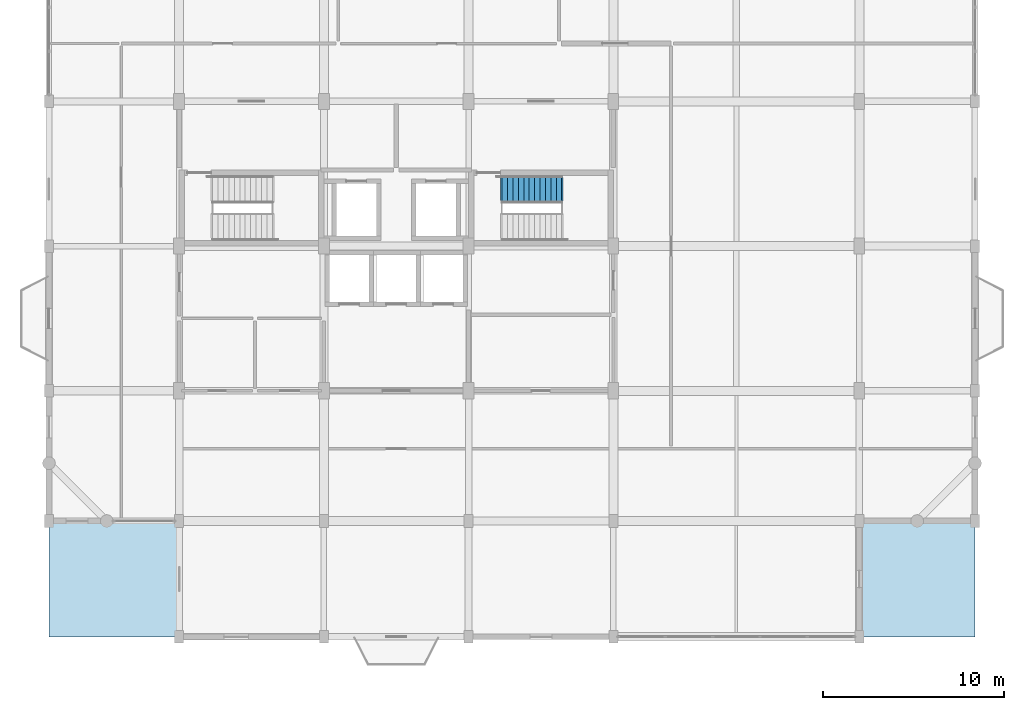
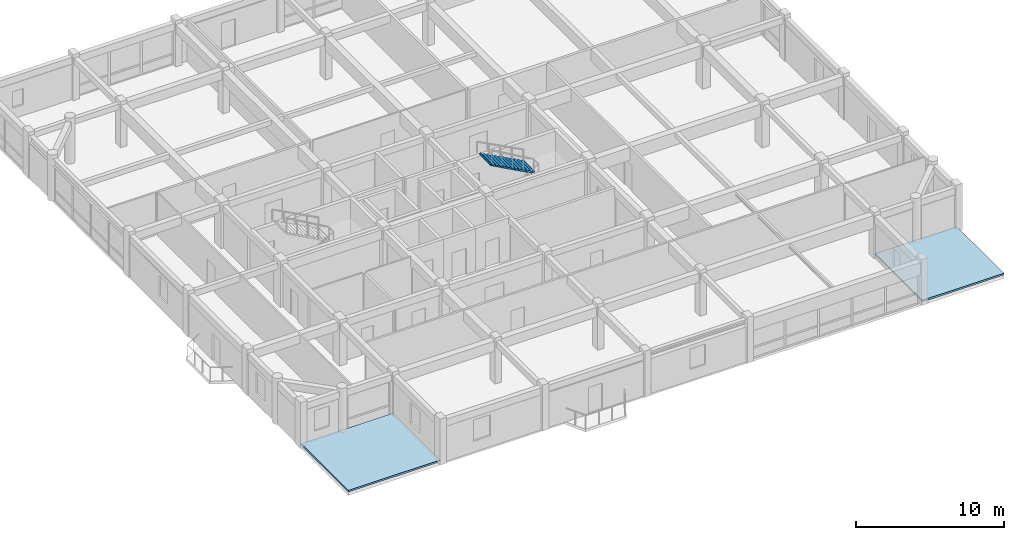
# One storey, part 13 of 14: 2 roofs, 1 stair flight, 1 element without a shape of its own.
"""IFC4 building model written with IfcOpenShell, lengths in metres."""

from ifc_helpers import new_model, si_unit, direction, frame, origin, place, context, subcontext, project, spatial, polyline, outline, extrude, material, layer, layer_set, type_object, element, aggregate, save


model = new_model("IFC4")

# Units and contexts
model_context = context("Model", 3, precision=1e-05, world=origin(), true_north=direction((0.0, 1.0)))
body_context = subcontext(model_context, "Body", "Model", "MODEL_VIEW")
ifc_project = project(units=[si_unit("LENGTHUNIT", "METRE"), si_unit("AREAUNIT", "SQUARE_METRE"), si_unit("VOLUMEUNIT", "CUBIC_METRE"), si_unit("PLANEANGLEUNIT", "RADIAN"), si_unit("MASSUNIT", "GRAM", prefix="KILO")], contexts=[model_context])

# Site, building, storey
site_placement = place(None, origin())
site = spatial("IfcSite", under=ifc_project, at=site_placement, CompositionType="ELEMENT")
building_placement = place(site_placement, origin())
building = spatial("IfcBuilding", under=site, at=building_placement, Name="Vellmiral Cinema and Media Centre", CompositionType="ELEMENT")
storey_placement = place(building_placement, frame((0.0, 0.0, 47.10009765625)))
storey = spatial("IfcBuildingStorey", under=building, at=storey_placement, Name="L11", CompositionType="ELEMENT", Elevation=47.10009765625)

# Stair, stair flight
ifc_material_1 = material(Name="Concrete C40/50", Category="concrete")
stair_type = type_object("IfcStairType", Name="ST-2RET-380", PredefinedType="HALF_TURN_STAIR", material=ifc_material_1)
stair_placement = place(storey_placement, origin())
stair = element("IfcStair", 1, at=stair_placement, inside=storey, type_object=stair_type, Name="Protected Escape Stair ST-T2 (L11)", PredefinedType="HALF_TURN_STAIR")
ifc_material_2 = material(Name="Concrete C40/50", Category="concrete")
stair_flight_type = type_object("IfcStairFlightType", Name="STF-STR-380", PredefinedType="STRAIGHT", material=ifc_material_2)
stair_flight_placement = place(storey_placement, frame((145.14990234375, 90.35009765625, 1.89990234375), z_axis=(0.0, 0.0, 1.0), x_axis=(-1.0, 0.0, 0.0)))
stair_flight = element("IfcStairFlight", 2, at=stair_flight_placement, type_object=stair_flight_type, Name="ST-T2 flight 2", NumberOfRisers=12, NumberOfTreads=11, PredefinedType="STRAIGHT", RiserHeight=0.158333333, TreadLength=0.3, context=body_context, shape_type="SweptSolid", body=[
    extrude(outline(polyline([(-0.080078125, 0.0), (-0.080078125, 0.094970703125), (0.0, 0.158447265625), (0.300048828125, 0.158447265625), (0.300048828125, 0.316650390625), (0.60009765625, 0.316650390625), (0.60009765625, 0.47509765625), (0.89990234375, 0.47509765625), (0.89990234375, 0.63330078125), (1.199951171875, 0.63330078125), (1.199951171875, 0.791748046875), (1.5, 0.791748046875), (1.5, 0.949951171875), (1.800048828125, 0.949951171875), (1.800048828125, 1.1083984375), (2.10009765625, 1.1083984375), (2.10009765625, 1.2666015625), (2.39990234375, 1.2666015625), (2.39990234375, 1.425048828125), (2.699951171875, 1.425048828125), (2.699951171875, 1.583251953125), (3.0, 1.583251953125), (3.0, 1.74169921875), (3.300048828125, 1.74169921875), (3.300048828125, 1.89990234375), (3.380126953125, 1.89990234375), (3.380126953125, 1.739990234375), (0.179931640625, 0.0), (-0.080078125, 0.0)])), frame((0.0, 0.75, 0.0), z_axis=(0.0, -1.0, 0.0), x_axis=(1.0, 0.0, 0.0)), (0.0, 0.0, 1.0), 1.5),
])
aggregate(stair, [stair_flight])

# Roofs
ifc_material_3 = material(Name="Insulated Waterproof Roof Build-up")
ifc_layer = layer(ifc_material_3, 0.139892578125, Name="Insulated Waterproof Roof Build-up")
ifc_layer_set = layer_set([ifc_layer], Name="Insulated Waterproof Roof Build-up")
roof_type = type_object("IfcRoofType", Name="ROOF-FLAT-MEMBRANE", PredefinedType="FLAT_ROOF", material=ifc_layer_set)
roof_1_placement = place(storey_placement, origin())
element("IfcRoof", 3, at=roof_1_placement, inside=storey, type_object=roof_type, Name="Setback Flat Waterproof Roof SB11-SW", PredefinedType="FLAT_ROOF", context=body_context, shape_type="SweptSolid", body=[
    extrude(outline(polyline([(116.800048828125, 65.60009765625), (123.97998046875, 65.60009765625), (123.97998046875, 71.97998046875), (116.800048828125, 71.97998046875), (116.800048828125, 65.60009765625)])), origin(), (0.0, 0.0, 1.0), 0.139892578125),
])
roof_2_placement = place(storey_placement, origin())
element("IfcRoof", 4, at=roof_2_placement, inside=storey, type_object=roof_type, Name="Setback Flat Waterproof Roof SB11-SE", PredefinedType="FLAT_ROOF", context=body_context, shape_type="SweptSolid", body=[
    extrude(outline(polyline([(161.6201171875, 65.60009765625), (168.0, 65.60009765625), (168.0, 71.97998046875), (161.6201171875, 71.97998046875), (161.6201171875, 65.60009765625)])), origin(), (0.0, 0.0, 1.0), 0.139892578125),
])

save(model, "model.ifc")
